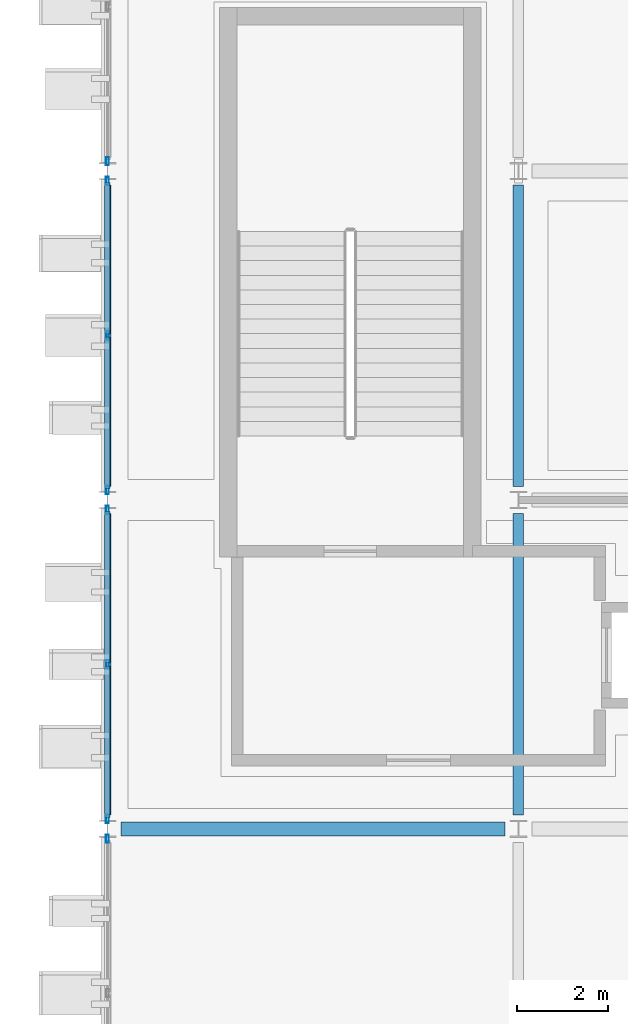
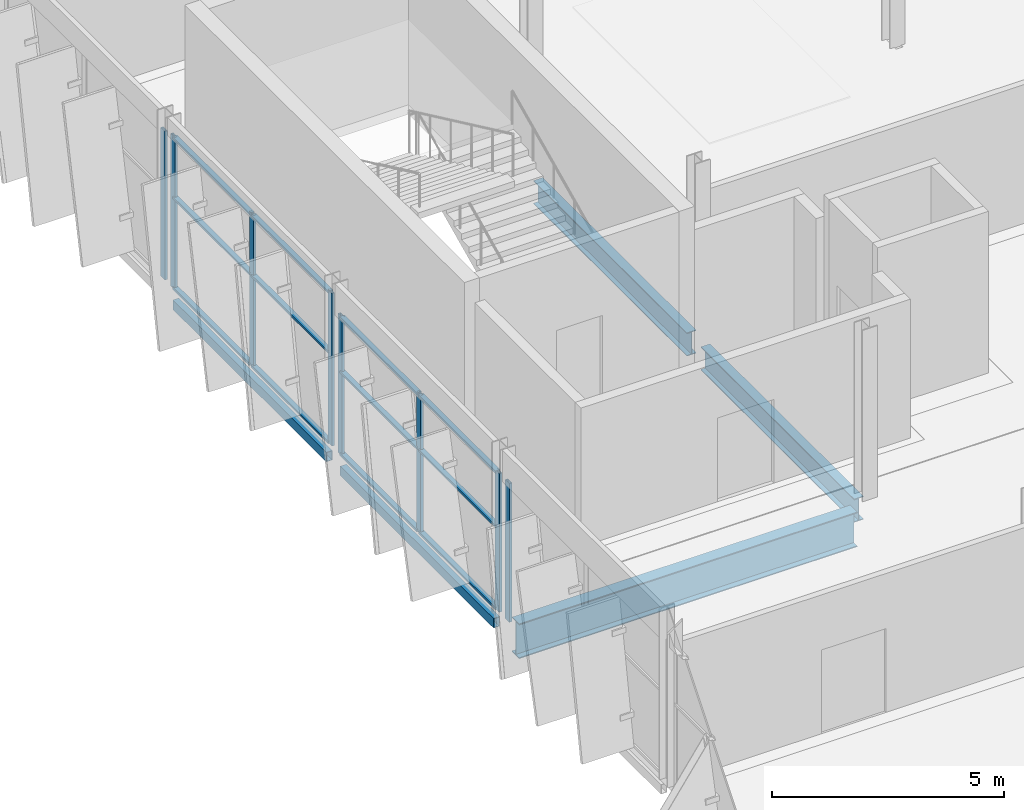
# One storey, part 30 of 78: 20 members, 5 beams, 4 elements without a shape of their own.
"""IFC4 building model written with IfcOpenShell, lengths in metres."""

from ifc_helpers import new_model, si_unit, direction, frame, origin, origin_2d, place, context, subcontext, project, spatial, hollow_rectangle, i_section, extrude, material, layer, layer_set, material_profile, profile_set, type_object, element, aggregate, save


model = new_model("IFC4")

# Units and contexts
model_context = context("Model", 3, precision=1e-05, world=origin(), true_north=direction((0.0, 1.0)))
body_context = subcontext(model_context, "Body", "Model", "MODEL_VIEW")
ifc_project = project(units=[si_unit("LENGTHUNIT", "METRE"), si_unit("AREAUNIT", "SQUARE_METRE"), si_unit("VOLUMEUNIT", "CUBIC_METRE"), si_unit("PLANEANGLEUNIT", "RADIAN"), si_unit("MASSUNIT", "GRAM", prefix="KILO")], contexts=[model_context])

# Site, building, storey
site_placement = place(None, origin())
site = spatial("IfcSite", under=ifc_project, at=site_placement, CompositionType="ELEMENT")
building_placement = place(site_placement, origin())
building = spatial("IfcBuilding", under=site, at=building_placement, Name="Celestram Park Convention Centre", CompositionType="ELEMENT")
storey_placement = place(building_placement, frame((0.0, 0.0, 19.800048828125)))
storey = spatial("IfcBuildingStorey", under=building, at=storey_placement, Name="L04", CompositionType="ELEMENT", Elevation=19.800048828125)

# Curtain wall, member
ifc_material_1 = material(Name="Anodised Aluminium Alloy 6063-T6", Category="aluminium")
ifc_layer_1 = layer(ifc_material_1, 0.179931640625)
ifc_layer_set_1 = layer_set([ifc_layer_1], Name="Anodised Aluminium Alloy 6063-T6")
curtain_wall_type_1 = type_object("IfcCurtainWallType", Name="ARC-CW-683X365", PredefinedType="NOTDEFINED", material=ifc_layer_set_1)
curtain_wall_1_placement = place(storey_placement, origin())
curtain_wall_1 = element("IfcCurtainWall", 1, at=curtain_wall_1_placement, inside=storey, type_object=curtain_wall_type_1, Name="Unitised curtain wall CU-L04-233", PredefinedType="NOTDEFINED")
ifc_material_profile_1 = material_profile(ifc_material_1, hollow_rectangle(XDim=0.06494140625, YDim=0.179931640625, WallThickness=0.00390625, at=origin_2d()), Name="ALU65X180X4")
ifc_profile_set_1 = profile_set([ifc_material_profile_1], Name="Anodised Aluminium Alloy 6063-T6")
member_type_1 = type_object("IfcMemberType", Name="ARC-CWM-150", PredefinedType="MULLION", material=ifc_profile_set_1)
member_1_placement = place(storey_placement, frame((36.0, 143.782958984375, 0.0), z_axis=(0.0, 0.0, 1.0), x_axis=(-1.0, 0.0, 0.0)))
member_1 = element("IfcMember", 2, at=member_1_placement, type_object=member_type_1, Name="CW-68X36 mullion 3", PredefinedType="MULLION", context=body_context, shape_type="SweptSolid", body=[
    extrude(hollow_rectangle(XDim=0.06494140625, YDim=0.179931640625, WallThickness=0.00390625, at=origin_2d()), origin(), (0.0, 0.0, 1.0), 3.64794921875),
])
aggregate(curtain_wall_1, [member_1])

# Curtain wall, members
curtain_wall_2_placement = place(storey_placement, origin())
curtain_wall_2 = element("IfcCurtainWall", 3, at=curtain_wall_2_placement, inside=storey, type_object=curtain_wall_type_1, Name="Unitised curtain wall CU-L04-234", PredefinedType="NOTDEFINED")
member_2_placement = place(storey_placement, frame((36.0, 144.217041015625, 0.0), z_axis=(0.0, 0.0, 1.0), x_axis=(-1.0, 0.0, 0.0)))
member_2 = element("IfcMember", 4, at=member_2_placement, type_object=member_type_1, Name="CW-68X36 mullion 1", PredefinedType="MULLION", context=body_context, shape_type="SweptSolid", body=[
    extrude(hollow_rectangle(XDim=0.06494140625, YDim=0.179931640625, WallThickness=0.00390625, at=origin_2d()), origin(), (0.0, 0.0, 1.0), 3.64794921875),
])
member_3_placement = place(storey_placement, frame((36.0, 147.60009765625, 0.0), z_axis=(0.0, 0.0, 1.0), x_axis=(-1.0, 0.0, 0.0)))
member_3 = element("IfcMember", 5, at=member_3_placement, type_object=member_type_1, Name="CW-68X36 mullion 2", PredefinedType="MULLION", context=body_context, shape_type="SweptSolid", body=[
    extrude(hollow_rectangle(XDim=0.06494140625, YDim=0.179931640625, WallThickness=0.00390625, at=origin_2d()), origin(), (0.0, 0.0, 1.0), 3.64794921875),
])
member_4_placement = place(storey_placement, frame((36.0, 150.98291015625, 0.0), z_axis=(0.0, 0.0, 1.0), x_axis=(-1.0, 0.0, 0.0)))
member_4 = element("IfcMember", 6, at=member_4_placement, type_object=member_type_1, Name="CW-68X36 mullion 3", PredefinedType="MULLION", context=body_context, shape_type="SweptSolid", body=[
    extrude(hollow_rectangle(XDim=0.06494140625, YDim=0.179931640625, WallThickness=0.00390625, at=origin_2d()), origin(), (0.0, 0.0, 1.0), 3.64794921875),
])

ifc_layer_2 = layer(ifc_material_1, 0.179931640625)
ifc_layer_set_2 = layer_set([ifc_layer_2], Name="Anodised Aluminium Alloy 6063-T6")
curtain_wall_type_2 = type_object("IfcCurtainWallType", Name="ARC-CW-683X401", PredefinedType="NOTDEFINED", material=ifc_layer_set_2)
curtain_wall_3_placement = place(storey_placement, origin())
curtain_wall_3 = element("IfcCurtainWall", 7, at=curtain_wall_3_placement, inside=storey, type_object=curtain_wall_type_2, Name="Unitised curtain wall CU-L04-235", PredefinedType="NOTDEFINED")
member_5_placement = place(storey_placement, frame((36.0, 151.4169921875, 0.0), z_axis=(0.0, 0.0, 1.0), x_axis=(-1.0, 0.0, 0.0)))
member_5 = element("IfcMember", 8, at=member_5_placement, type_object=member_type_1, Name="CW-68X40 mullion 1", PredefinedType="MULLION", context=body_context, shape_type="SweptSolid", body=[
    extrude(hollow_rectangle(XDim=0.06494140625, YDim=0.179931640625, WallThickness=0.00390625, at=origin_2d()), origin(), (0.0, 0.0, 1.0), 4.010009765625),
])
member_6_placement = place(storey_placement, frame((36.0, 154.800048828125, 0.0), z_axis=(0.0, 0.0, 1.0), x_axis=(-1.0, 0.0, 0.0)))
member_6 = element("IfcMember", 9, at=member_6_placement, type_object=member_type_1, Name="CW-68X40 mullion 2", PredefinedType="MULLION", context=body_context, shape_type="SweptSolid", body=[
    extrude(hollow_rectangle(XDim=0.06494140625, YDim=0.179931640625, WallThickness=0.00390625, at=origin_2d()), origin(), (0.0, 0.0, 1.0), 4.010009765625),
])
member_7_placement = place(storey_placement, frame((36.0, 158.18310546875, 0.0), z_axis=(0.0, 0.0, 1.0), x_axis=(-1.0, 0.0, 0.0)))
member_7 = element("IfcMember", 10, at=member_7_placement, type_object=member_type_1, Name="CW-68X40 mullion 3", PredefinedType="MULLION", context=body_context, shape_type="SweptSolid", body=[
    extrude(hollow_rectangle(XDim=0.06494140625, YDim=0.179931640625, WallThickness=0.00390625, at=origin_2d()), origin(), (0.0, 0.0, 1.0), 4.010009765625),
])

# Curtain wall, member
ifc_layer_3 = layer(ifc_material_1, 0.179931640625)
ifc_layer_set_3 = layer_set([ifc_layer_3], Name="Anodised Aluminium Alloy 6063-T6")
curtain_wall_type_3 = type_object("IfcCurtainWallType", Name="ARC-CW-683X390", PredefinedType="NOTDEFINED", material=ifc_layer_set_3)
curtain_wall_4_placement = place(storey_placement, origin())
curtain_wall_4 = element("IfcCurtainWall", 11, at=curtain_wall_4_placement, inside=storey, type_object=curtain_wall_type_3, Name="Unitised curtain wall CU-L04-236", PredefinedType="NOTDEFINED")
member_8_placement = place(storey_placement, frame((36.0, 158.616943359375, 0.0), z_axis=(0.0, 0.0, 1.0), x_axis=(-1.0, 0.0, 0.0)))
member_8 = element("IfcMember", 12, at=member_8_placement, type_object=member_type_1, Name="CW-68X39 mullion 1", PredefinedType="MULLION", context=body_context, shape_type="SweptSolid", body=[
    extrude(hollow_rectangle(XDim=0.06494140625, YDim=0.179931640625, WallThickness=0.00390625, at=origin_2d()), origin(), (0.0, 0.0, 1.0), 3.904052734375),
])
aggregate(curtain_wall_4, [member_8])

# Member
ifc_material_profile_2 = material_profile(ifc_material_1, hollow_rectangle(XDim=0.1201171875, YDim=0.06005859375, WallThickness=0.0029296875, at=origin_2d()), Name="ALU120X60X3")
ifc_profile_set_2 = profile_set([ifc_material_profile_2], Name="Anodised Aluminium Alloy 6063-T6")
member_type_2 = type_object("IfcMemberType", Name="ARC-CWT-120", PredefinedType="USERDEFINED", material=ifc_profile_set_2)
member_9_placement = place(storey_placement, frame((36.0, 144.24951171875, 0.030029296875), z_axis=(0.0, 1.0, 0.0), x_axis=(-1.0, 0.0, 0.0)))
member_9 = element("IfcMember", 13, at=member_9_placement, type_object=member_type_2, Name="CW-68X36 transom 1.1", ObjectType="TRANSOM", PredefinedType="USERDEFINED", context=body_context, shape_type="SweptSolid", body=[
    extrude(hollow_rectangle(XDim=0.1201171875, YDim=0.06005859375, WallThickness=0.0029296875, at=origin_2d()), origin(), (0.0, 0.0, 1.0), 3.31787109375),
])

member_10_placement = place(storey_placement, frame((36.0, 144.24951171875, 2.18896484375), z_axis=(0.0, 1.0, 0.0), x_axis=(-1.0, 0.0, 0.0)))
member_10 = element("IfcMember", 14, at=member_10_placement, type_object=member_type_2, Name="CW-68X36 transom 1.2", ObjectType="TRANSOM", PredefinedType="USERDEFINED", context=body_context, shape_type="SweptSolid", body=[
    extrude(hollow_rectangle(XDim=0.1201171875, YDim=0.06005859375, WallThickness=0.0029296875, at=origin_2d()), origin(), (0.0, 0.0, 1.0), 3.31787109375),
])

member_11_placement = place(storey_placement, frame((36.0, 144.24951171875, 3.617919921875), z_axis=(0.0, 1.0, 0.0), x_axis=(-1.0, 0.0, 0.0)))
member_11 = element("IfcMember", 15, at=member_11_placement, type_object=member_type_2, Name="CW-68X36 transom 1.3", ObjectType="TRANSOM", PredefinedType="USERDEFINED", context=body_context, shape_type="SweptSolid", body=[
    extrude(hollow_rectangle(XDim=0.1201171875, YDim=0.06005859375, WallThickness=0.0029296875, at=origin_2d()), origin(), (0.0, 0.0, 1.0), 3.31787109375),
])

member_12_placement = place(storey_placement, frame((36.0, 147.632568359375, 0.030029296875), z_axis=(0.0, 1.0, 0.0), x_axis=(-1.0, 0.0, 0.0)))
member_12 = element("IfcMember", 16, at=member_12_placement, type_object=member_type_2, Name="CW-68X36 transom 2.1", ObjectType="TRANSOM", PredefinedType="USERDEFINED", context=body_context, shape_type="SweptSolid", body=[
    extrude(hollow_rectangle(XDim=0.1201171875, YDim=0.06005859375, WallThickness=0.0029296875, at=origin_2d()), origin(), (0.0, 0.0, 1.0), 3.31787109375),
])

member_13_placement = place(storey_placement, frame((36.0, 147.632568359375, 2.18896484375), z_axis=(0.0, 1.0, 0.0), x_axis=(-1.0, 0.0, 0.0)))
member_13 = element("IfcMember", 17, at=member_13_placement, type_object=member_type_2, Name="CW-68X36 transom 2.2", ObjectType="TRANSOM", PredefinedType="USERDEFINED", context=body_context, shape_type="SweptSolid", body=[
    extrude(hollow_rectangle(XDim=0.1201171875, YDim=0.06005859375, WallThickness=0.0029296875, at=origin_2d()), origin(), (0.0, 0.0, 1.0), 3.31787109375),
])

member_14_placement = place(storey_placement, frame((36.0, 147.632568359375, 3.617919921875), z_axis=(0.0, 1.0, 0.0), x_axis=(-1.0, 0.0, 0.0)))
member_14 = element("IfcMember", 18, at=member_14_placement, type_object=member_type_2, Name="CW-68X36 transom 2.3", ObjectType="TRANSOM", PredefinedType="USERDEFINED", context=body_context, shape_type="SweptSolid", body=[
    extrude(hollow_rectangle(XDim=0.1201171875, YDim=0.06005859375, WallThickness=0.0029296875, at=origin_2d()), origin(), (0.0, 0.0, 1.0), 3.31787109375),
])

aggregate(curtain_wall_2, [member_2, member_3, member_4, member_9, member_10, member_11, member_12, member_13, member_14])

member_15_placement = place(storey_placement, frame((36.0, 151.449462890625, 0.030029296875), z_axis=(0.0, 1.0, 0.0), x_axis=(-1.0, 0.0, 0.0)))
member_15 = element("IfcMember", 19, at=member_15_placement, type_object=member_type_2, Name="CW-68X40 transom 1.1", ObjectType="TRANSOM", PredefinedType="USERDEFINED", context=body_context, shape_type="SweptSolid", body=[
    extrude(hollow_rectangle(XDim=0.1201171875, YDim=0.06005859375, WallThickness=0.0029296875, at=origin_2d()), origin(), (0.0, 0.0, 1.0), 3.318115234375),
])

member_16_placement = place(storey_placement, frame((36.0, 151.449462890625, 2.406005859375), z_axis=(0.0, 1.0, 0.0), x_axis=(-1.0, 0.0, 0.0)))
member_16 = element("IfcMember", 20, at=member_16_placement, type_object=member_type_2, Name="CW-68X40 transom 1.2", ObjectType="TRANSOM", PredefinedType="USERDEFINED", context=body_context, shape_type="SweptSolid", body=[
    extrude(hollow_rectangle(XDim=0.1201171875, YDim=0.06005859375, WallThickness=0.0029296875, at=origin_2d()), origin(), (0.0, 0.0, 1.0), 3.318115234375),
])

member_17_placement = place(storey_placement, frame((36.0, 151.449462890625, 3.97998046875), z_axis=(0.0, 1.0, 0.0), x_axis=(-1.0, 0.0, 0.0)))
member_17 = element("IfcMember", 21, at=member_17_placement, type_object=member_type_2, Name="CW-68X40 transom 1.3", ObjectType="TRANSOM", PredefinedType="USERDEFINED", context=body_context, shape_type="SweptSolid", body=[
    extrude(hollow_rectangle(XDim=0.1201171875, YDim=0.06005859375, WallThickness=0.0029296875, at=origin_2d()), origin(), (0.0, 0.0, 1.0), 3.318115234375),
])

member_18_placement = place(storey_placement, frame((36.0, 154.83251953125, 0.030029296875), z_axis=(0.0, 1.0, 0.0), x_axis=(-1.0, 0.0, 0.0)))
member_18 = element("IfcMember", 22, at=member_18_placement, type_object=member_type_2, Name="CW-68X40 transom 2.1", ObjectType="TRANSOM", PredefinedType="USERDEFINED", context=body_context, shape_type="SweptSolid", body=[
    extrude(hollow_rectangle(XDim=0.1201171875, YDim=0.06005859375, WallThickness=0.0029296875, at=origin_2d()), origin(), (0.0, 0.0, 1.0), 3.31787109375),
])

member_19_placement = place(storey_placement, frame((36.0, 154.83251953125, 2.406005859375), z_axis=(0.0, 1.0, 0.0), x_axis=(-1.0, 0.0, 0.0)))
member_19 = element("IfcMember", 23, at=member_19_placement, type_object=member_type_2, Name="CW-68X40 transom 2.2", ObjectType="TRANSOM", PredefinedType="USERDEFINED", context=body_context, shape_type="SweptSolid", body=[
    extrude(hollow_rectangle(XDim=0.1201171875, YDim=0.06005859375, WallThickness=0.0029296875, at=origin_2d()), origin(), (0.0, 0.0, 1.0), 3.31787109375),
])

member_20_placement = place(storey_placement, frame((36.0, 154.83251953125, 3.97998046875), z_axis=(0.0, 1.0, 0.0), x_axis=(-1.0, 0.0, 0.0)))
member_20 = element("IfcMember", 24, at=member_20_placement, type_object=member_type_2, Name="CW-68X40 transom 2.3", ObjectType="TRANSOM", PredefinedType="USERDEFINED", context=body_context, shape_type="SweptSolid", body=[
    extrude(hollow_rectangle(XDim=0.1201171875, YDim=0.06005859375, WallThickness=0.0029296875, at=origin_2d()), origin(), (0.0, 0.0, 1.0), 3.31787109375),
])

aggregate(curtain_wall_3, [member_5, member_6, member_7, member_15, member_16, member_17, member_18, member_19, member_20])

# Beams
ifc_material_2 = material(Name="Steel ASTM A992 Grade 50", Category="steel")
ifc_material_profile_3 = material_profile(ifc_material_2, i_section(OverallWidth=0.22900390625, OverallDepth=0.612060546875, WebThickness=0.011962890625, FlangeThickness=0.01953125, at=origin_2d()), Name="W24X84")
ifc_profile_set_3 = profile_set([ifc_material_profile_3], Name="Steel ASTM A992 Grade 50")
beam_type_1 = type_object("IfcBeamType", Name="STR-BM-W24X84", PredefinedType="BEAM", material=ifc_profile_set_3)
for number, where, z_axis, x_axis, name in (
    (25, (45.0, 144.298095703125, -0.55615234375), (0.0, 1.0, 0.0), (-1.0, 0.0, 0.0), "Primary Y-girder BG-L04-0025"),
    (26, (45.0, 151.498046875, -0.55615234375), (0.0, 1.0, 0.0), (-1.0, 0.0, 0.0), "Primary Y-girder BG-L04-0027"),
):
    element("IfcBeam", number, at=place(storey_placement, frame(where, z_axis=z_axis, x_axis=x_axis)), inside=storey, type_object=beam_type_1, Name=name, PredefinedType="BEAM", context=body_context, shape_type="SweptSolid", body=[
        extrude(i_section(OverallWidth=0.22900390625, OverallDepth=0.612060546875, WebThickness=0.011962890625, FlangeThickness=0.01953125, at=origin_2d()), origin(), (0.0, 0.0, 1.0), 6.60400390625),
    ])
ifc_material_profile_4 = material_profile(ifc_material_2, i_section(OverallWidth=0.304931640625, OverallDepth=0.9140625, WebThickness=0.0166015625, FlangeThickness=0.02587890625, at=origin_2d()), Name="W36X160")
ifc_profile_set_4 = profile_set([ifc_material_profile_4], Name="Steel ASTM A992 Grade 50")
beam_type_2 = type_object("IfcBeamType", Name="STR-BM-W36X160", PredefinedType="BEAM", material=ifc_profile_set_4)
beam_placement = place(storey_placement, frame((36.298095703125, 144.0, -0.70703125), z_axis=(1.0, 0.0, 0.0), x_axis=(0.0, 1.0, 0.0)))
element("IfcBeam", 27, at=beam_placement, inside=storey, type_object=beam_type_2, Name="Primary X-girder BG-L04-0010", PredefinedType="BEAM", context=body_context, shape_type="SweptSolid", body=[
    extrude(i_section(OverallWidth=0.304931640625, OverallDepth=0.9140625, WebThickness=0.0166015625, FlangeThickness=0.02587890625, at=origin_2d()), origin(), (0.0, 0.0, 1.0), 8.40380859375),
])
ifc_material_3 = material(Name="Steel ASTM A500 Grade C", Category="steel")
ifc_material_profile_5 = material_profile(ifc_material_3, hollow_rectangle(XDim=0.14990234375, YDim=0.25, WallThickness=0.010009765625, at=origin_2d()), Name="HSS250X150X10")
ifc_profile_set_5 = profile_set([ifc_material_profile_5], Name="Steel ASTM A500 Grade C")
beam_type_3 = type_object("IfcBeamType", Name="STR-SPN-HSS250X150", PredefinedType="SPANDREL", material=ifc_profile_set_5)
for number, where, z_axis, x_axis, name in (
    (28, (36.0, 144.298095703125, -0.375), (0.0, 1.0, 0.0), (-1.0, 0.0, 0.0), "Primary Y-girder BG-L04-0011"),
    (29, (36.0, 151.498046875, -0.375), (0.0, 1.0, 0.0), (-1.0, 0.0, 0.0), "Primary Y-girder BG-L04-0012"),
):
    element("IfcBeam", number, at=place(storey_placement, frame(where, z_axis=z_axis, x_axis=x_axis)), inside=storey, type_object=beam_type_3, Name=name, PredefinedType="SPANDREL", context=body_context, shape_type="SweptSolid", body=[
        extrude(hollow_rectangle(XDim=0.14990234375, YDim=0.25, WallThickness=0.010009765625, at=origin_2d()), origin(), (0.0, 0.0, 1.0), 6.60400390625),
    ])

save(model, "model.ifc")
